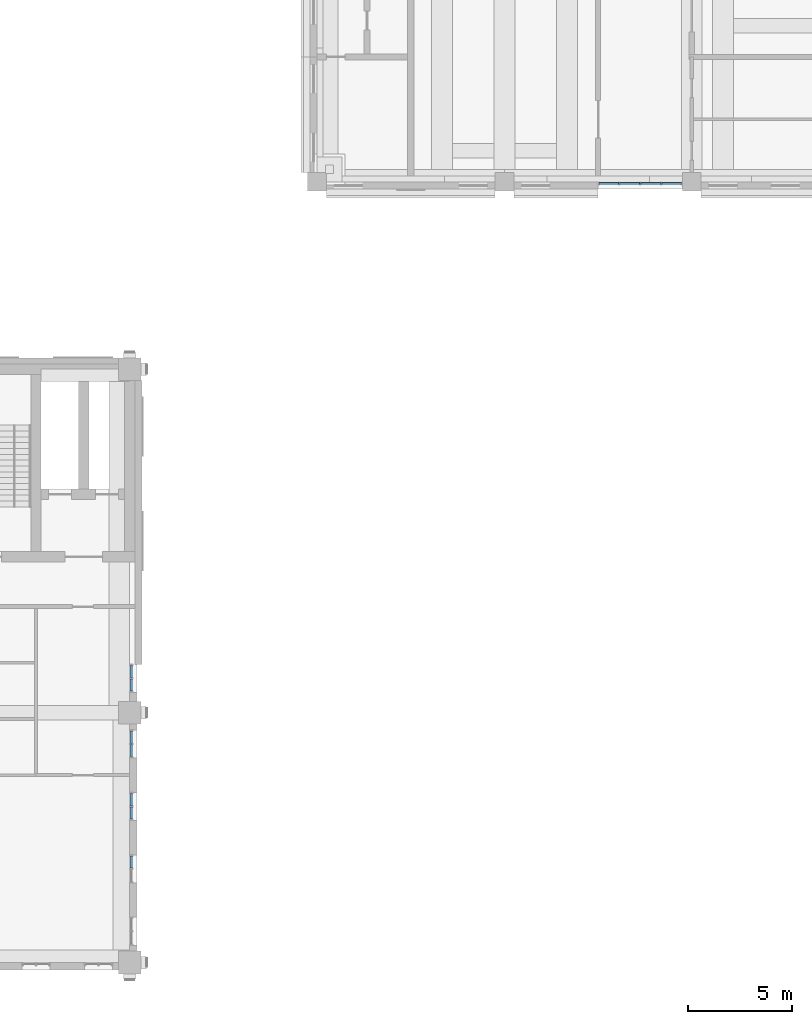
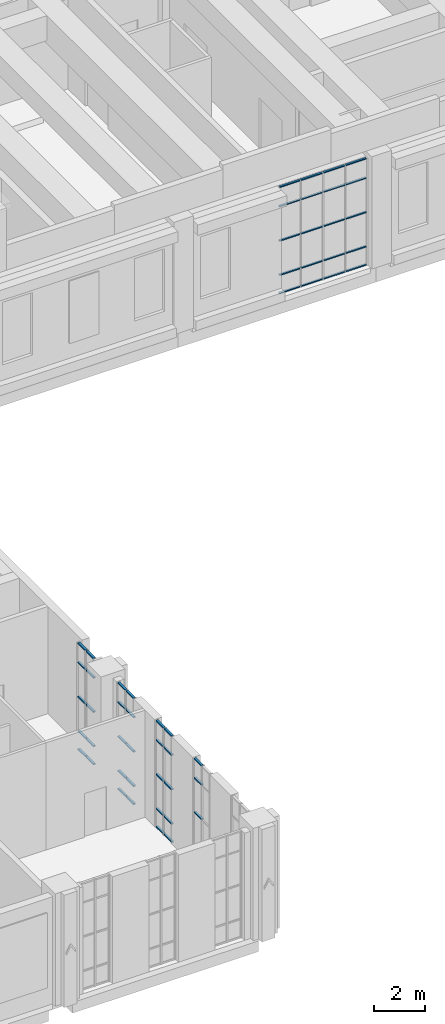
# One storey, part 8 of 22: 53 members, 5 elements without a shape of their own.
"""IFC4 building model written with IfcOpenShell, lengths in metres."""

from ifc_helpers import new_model, si_unit, direction, frame, origin, origin_2d, place, context, subcontext, project, spatial, rectangle, extrude, material, layer, layer_set, material_profile, profile_set, type_object, element, aggregate, save


model = new_model("IFC4")

# Units and contexts
model_context = context("Model", 3, precision=1e-05, world=origin(), true_north=direction((0.0, 1.0)))
body_context = subcontext(model_context, "Body", "Model", "MODEL_VIEW")
ifc_project = project(units=[si_unit("LENGTHUNIT", "METRE"), si_unit("AREAUNIT", "SQUARE_METRE"), si_unit("VOLUMEUNIT", "CUBIC_METRE"), si_unit("PLANEANGLEUNIT", "RADIAN"), si_unit("MASSUNIT", "GRAM", prefix="KILO")], contexts=[model_context])

# Site, building, storey
site_placement = place(None, origin())
site = spatial("IfcSite", under=ifc_project, at=site_placement, CompositionType="ELEMENT")
building_placement = place(site_placement, origin())
building = spatial("IfcBuilding", under=site, at=building_placement, Name="Aurelan Courthouse", CompositionType="ELEMENT")
storey_placement = place(building_placement, frame((0.0, 0.0, 39.0)))
storey = spatial("IfcBuildingStorey", under=building, at=storey_placement, Name="L07", CompositionType="ELEMENT", Elevation=39.0)

# Curtain wall, members
ifc_material_1 = material(Name="Bronze-finished aluminium and glass", Category="aluminium")
ifc_layer_1 = layer(ifc_material_1, 0.14990234375)
ifc_layer_set_1 = layer_set([ifc_layer_1], Name="Bronze-finished aluminium and glass")
curtain_wall_type_1 = type_object("IfcCurtainWallType", Name="Curtain wall 4050 x 5150", PredefinedType="NOTDEFINED", material=ifc_layer_set_1)
curtain_wall_1_placement = place(storey_placement, origin())
curtain_wall_1 = element("IfcCurtainWall", 1, at=curtain_wall_1_placement, inside=storey, type_object=curtain_wall_type_1, Name="Curtain wall CW-V2-L07-S01", PredefinedType="NOTDEFINED")
ifc_material_2 = material(Name="Bronze-finished aluminium", Category="aluminium")
ifc_material_profile_1 = material_profile(ifc_material_2, rectangle(XDim=0.090087890625, YDim=0.050048828125, at=origin_2d()), Name="Bronze transom 50 x 90")
ifc_profile_set_1 = profile_set([ifc_material_profile_1], Name="Bronze-finished aluminium")
member_type_1 = type_object("IfcMemberType", Name="Curtain wall transom 50 x 90", PredefinedType="USERDEFINED", material=ifc_profile_set_1)
member_1_placement = place(storey_placement, frame((49.550048828125, 37.425048828125, 0.02490234375), z_axis=(1.0, 0.0, 0.0), x_axis=(0.0, 1.0, 0.0)))
member_1 = element("IfcMember", 2, at=member_1_placement, type_object=member_type_1, Name="CW-V2-L07-S01 transom 1.1", ObjectType="TRANSOM", PredefinedType="USERDEFINED", context=body_context, shape_type="SweptSolid", body=[
    extrude(rectangle(XDim=0.090087890625, YDim=0.050048828125, at=origin_2d()), origin(), (0.0, 0.0, 1.0), 0.9375),
])
member_2_placement = place(storey_placement, frame((49.550048828125, 37.425048828125, 0.89990234375), z_axis=(1.0, 0.0, 0.0), x_axis=(0.0, 1.0, 0.0)))
member_2 = element("IfcMember", 3, at=member_2_placement, type_object=member_type_1, Name="CW-V2-L07-S01 transom 1.2", ObjectType="TRANSOM", PredefinedType="USERDEFINED", context=body_context, shape_type="SweptSolid", body=[
    extrude(rectangle(XDim=0.090087890625, YDim=0.050048828125, at=origin_2d()), origin(), (0.0, 0.0, 1.0), 0.9375),
])
member_3_placement = place(storey_placement, frame((49.550048828125, 37.425048828125, 2.550048828125), z_axis=(1.0, 0.0, 0.0), x_axis=(0.0, 1.0, 0.0)))
member_3 = element("IfcMember", 4, at=member_3_placement, type_object=member_type_1, Name="CW-V2-L07-S01 transom 1.3", ObjectType="TRANSOM", PredefinedType="USERDEFINED", context=body_context, shape_type="SweptSolid", body=[
    extrude(rectangle(XDim=0.090087890625, YDim=0.050048828125, at=origin_2d()), origin(), (0.0, 0.0, 1.0), 0.9375),
])
member_4_placement = place(storey_placement, frame((49.550048828125, 37.425048828125, 4.199951171875), z_axis=(1.0, 0.0, 0.0), x_axis=(0.0, 1.0, 0.0)))
member_4 = element("IfcMember", 5, at=member_4_placement, type_object=member_type_1, Name="CW-V2-L07-S01 transom 1.4", ObjectType="TRANSOM", PredefinedType="USERDEFINED", context=body_context, shape_type="SweptSolid", body=[
    extrude(rectangle(XDim=0.090087890625, YDim=0.050048828125, at=origin_2d()), origin(), (0.0, 0.0, 1.0), 0.9375),
])
member_5_placement = place(storey_placement, frame((49.550048828125, 37.425048828125, 5.125), z_axis=(1.0, 0.0, 0.0), x_axis=(0.0, 1.0, 0.0)))
member_5 = element("IfcMember", 6, at=member_5_placement, type_object=member_type_1, Name="CW-V2-L07-S01 transom 1.5", ObjectType="TRANSOM", PredefinedType="USERDEFINED", context=body_context, shape_type="SweptSolid", body=[
    extrude(rectangle(XDim=0.090087890625, YDim=0.050048828125, at=origin_2d()), origin(), (0.0, 0.0, 1.0), 0.9375),
])
member_6_placement = place(storey_placement, frame((50.53759765625, 37.425048828125, 0.02490234375), z_axis=(1.0, 0.0, 0.0), x_axis=(0.0, 1.0, 0.0)))
member_6 = element("IfcMember", 7, at=member_6_placement, type_object=member_type_1, Name="CW-V2-L07-S01 transom 2.1", ObjectType="TRANSOM", PredefinedType="USERDEFINED", context=body_context, shape_type="SweptSolid", body=[
    extrude(rectangle(XDim=0.090087890625, YDim=0.050048828125, at=origin_2d()), origin(), (0.0, 0.0, 1.0), 0.96240234375),
])
member_7_placement = place(storey_placement, frame((50.53759765625, 37.425048828125, 0.89990234375), z_axis=(1.0, 0.0, 0.0), x_axis=(0.0, 1.0, 0.0)))
member_7 = element("IfcMember", 8, at=member_7_placement, type_object=member_type_1, Name="CW-V2-L07-S01 transom 2.2", ObjectType="TRANSOM", PredefinedType="USERDEFINED", context=body_context, shape_type="SweptSolid", body=[
    extrude(rectangle(XDim=0.090087890625, YDim=0.050048828125, at=origin_2d()), origin(), (0.0, 0.0, 1.0), 0.96240234375),
])
member_8_placement = place(storey_placement, frame((50.53759765625, 37.425048828125, 2.550048828125), z_axis=(1.0, 0.0, 0.0), x_axis=(0.0, 1.0, 0.0)))
member_8 = element("IfcMember", 9, at=member_8_placement, type_object=member_type_1, Name="CW-V2-L07-S01 transom 2.3", ObjectType="TRANSOM", PredefinedType="USERDEFINED", context=body_context, shape_type="SweptSolid", body=[
    extrude(rectangle(XDim=0.090087890625, YDim=0.050048828125, at=origin_2d()), origin(), (0.0, 0.0, 1.0), 0.96240234375),
])
member_9_placement = place(storey_placement, frame((50.53759765625, 37.425048828125, 4.199951171875), z_axis=(1.0, 0.0, 0.0), x_axis=(0.0, 1.0, 0.0)))
member_9 = element("IfcMember", 10, at=member_9_placement, type_object=member_type_1, Name="CW-V2-L07-S01 transom 2.4", ObjectType="TRANSOM", PredefinedType="USERDEFINED", context=body_context, shape_type="SweptSolid", body=[
    extrude(rectangle(XDim=0.090087890625, YDim=0.050048828125, at=origin_2d()), origin(), (0.0, 0.0, 1.0), 0.96240234375),
])
member_10_placement = place(storey_placement, frame((50.53759765625, 37.425048828125, 5.125), z_axis=(1.0, 0.0, 0.0), x_axis=(0.0, 1.0, 0.0)))
member_10 = element("IfcMember", 11, at=member_10_placement, type_object=member_type_1, Name="CW-V2-L07-S01 transom 2.5", ObjectType="TRANSOM", PredefinedType="USERDEFINED", context=body_context, shape_type="SweptSolid", body=[
    extrude(rectangle(XDim=0.090087890625, YDim=0.050048828125, at=origin_2d()), origin(), (0.0, 0.0, 1.0), 0.96240234375),
])
member_11_placement = place(storey_placement, frame((51.550048828125, 37.425048828125, 0.02490234375), z_axis=(1.0, 0.0, 0.0), x_axis=(0.0, 1.0, 0.0)))
member_11 = element("IfcMember", 12, at=member_11_placement, type_object=member_type_1, Name="CW-V2-L07-S01 transom 3.1", ObjectType="TRANSOM", PredefinedType="USERDEFINED", context=body_context, shape_type="SweptSolid", body=[
    extrude(rectangle(XDim=0.090087890625, YDim=0.050048828125, at=origin_2d()), origin(), (0.0, 0.0, 1.0), 0.96240234375),
])
member_12_placement = place(storey_placement, frame((51.550048828125, 37.425048828125, 0.89990234375), z_axis=(1.0, 0.0, 0.0), x_axis=(0.0, 1.0, 0.0)))
member_12 = element("IfcMember", 13, at=member_12_placement, type_object=member_type_1, Name="CW-V2-L07-S01 transom 3.2", ObjectType="TRANSOM", PredefinedType="USERDEFINED", context=body_context, shape_type="SweptSolid", body=[
    extrude(rectangle(XDim=0.090087890625, YDim=0.050048828125, at=origin_2d()), origin(), (0.0, 0.0, 1.0), 0.96240234375),
])
member_13_placement = place(storey_placement, frame((51.550048828125, 37.425048828125, 2.550048828125), z_axis=(1.0, 0.0, 0.0), x_axis=(0.0, 1.0, 0.0)))
member_13 = element("IfcMember", 14, at=member_13_placement, type_object=member_type_1, Name="CW-V2-L07-S01 transom 3.3", ObjectType="TRANSOM", PredefinedType="USERDEFINED", context=body_context, shape_type="SweptSolid", body=[
    extrude(rectangle(XDim=0.090087890625, YDim=0.050048828125, at=origin_2d()), origin(), (0.0, 0.0, 1.0), 0.96240234375),
])
member_14_placement = place(storey_placement, frame((51.550048828125, 37.425048828125, 4.199951171875), z_axis=(1.0, 0.0, 0.0), x_axis=(0.0, 1.0, 0.0)))
member_14 = element("IfcMember", 15, at=member_14_placement, type_object=member_type_1, Name="CW-V2-L07-S01 transom 3.4", ObjectType="TRANSOM", PredefinedType="USERDEFINED", context=body_context, shape_type="SweptSolid", body=[
    extrude(rectangle(XDim=0.090087890625, YDim=0.050048828125, at=origin_2d()), origin(), (0.0, 0.0, 1.0), 0.96240234375),
])
member_15_placement = place(storey_placement, frame((51.550048828125, 37.425048828125, 5.125), z_axis=(1.0, 0.0, 0.0), x_axis=(0.0, 1.0, 0.0)))
member_15 = element("IfcMember", 16, at=member_15_placement, type_object=member_type_1, Name="CW-V2-L07-S01 transom 3.5", ObjectType="TRANSOM", PredefinedType="USERDEFINED", context=body_context, shape_type="SweptSolid", body=[
    extrude(rectangle(XDim=0.090087890625, YDim=0.050048828125, at=origin_2d()), origin(), (0.0, 0.0, 1.0), 0.96240234375),
])
member_16_placement = place(storey_placement, frame((52.5625, 37.425048828125, 0.02490234375), z_axis=(1.0, 0.0, 0.0), x_axis=(0.0, 1.0, 0.0)))
member_16 = element("IfcMember", 17, at=member_16_placement, type_object=member_type_1, Name="CW-V2-L07-S01 transom 4.1", ObjectType="TRANSOM", PredefinedType="USERDEFINED", context=body_context, shape_type="SweptSolid", body=[
    extrude(rectangle(XDim=0.090087890625, YDim=0.050048828125, at=origin_2d()), origin(), (0.0, 0.0, 1.0), 0.9375),
])
member_17_placement = place(storey_placement, frame((52.5625, 37.425048828125, 0.89990234375), z_axis=(1.0, 0.0, 0.0), x_axis=(0.0, 1.0, 0.0)))
member_17 = element("IfcMember", 18, at=member_17_placement, type_object=member_type_1, Name="CW-V2-L07-S01 transom 4.2", ObjectType="TRANSOM", PredefinedType="USERDEFINED", context=body_context, shape_type="SweptSolid", body=[
    extrude(rectangle(XDim=0.090087890625, YDim=0.050048828125, at=origin_2d()), origin(), (0.0, 0.0, 1.0), 0.9375),
])
member_18_placement = place(storey_placement, frame((52.5625, 37.425048828125, 2.550048828125), z_axis=(1.0, 0.0, 0.0), x_axis=(0.0, 1.0, 0.0)))
member_18 = element("IfcMember", 19, at=member_18_placement, type_object=member_type_1, Name="CW-V2-L07-S01 transom 4.3", ObjectType="TRANSOM", PredefinedType="USERDEFINED", context=body_context, shape_type="SweptSolid", body=[
    extrude(rectangle(XDim=0.090087890625, YDim=0.050048828125, at=origin_2d()), origin(), (0.0, 0.0, 1.0), 0.9375),
])
member_19_placement = place(storey_placement, frame((52.5625, 37.425048828125, 4.199951171875), z_axis=(1.0, 0.0, 0.0), x_axis=(0.0, 1.0, 0.0)))
member_19 = element("IfcMember", 20, at=member_19_placement, type_object=member_type_1, Name="CW-V2-L07-S01 transom 4.4", ObjectType="TRANSOM", PredefinedType="USERDEFINED", context=body_context, shape_type="SweptSolid", body=[
    extrude(rectangle(XDim=0.090087890625, YDim=0.050048828125, at=origin_2d()), origin(), (0.0, 0.0, 1.0), 0.9375),
])
member_20_placement = place(storey_placement, frame((52.5625, 37.425048828125, 5.125), z_axis=(1.0, 0.0, 0.0), x_axis=(0.0, 1.0, 0.0)))
member_20 = element("IfcMember", 21, at=member_20_placement, type_object=member_type_1, Name="CW-V2-L07-S01 transom 4.5", ObjectType="TRANSOM", PredefinedType="USERDEFINED", context=body_context, shape_type="SweptSolid", body=[
    extrude(rectangle(XDim=0.090087890625, YDim=0.050048828125, at=origin_2d()), origin(), (0.0, 0.0, 1.0), 0.9375),
])
aggregate(curtain_wall_1, [member_1, member_2, member_3, member_4, member_5, member_6, member_7, member_8, member_9, member_10, member_11, member_12, member_13, member_14, member_15, member_16, member_17, member_18, member_19, member_20])

ifc_layer_2 = layer(ifc_material_1, 0.14990234375)
ifc_layer_set_2 = layer_set([ifc_layer_2], Name="Bronze-finished aluminium and glass")
curtain_wall_type_2 = type_object("IfcCurtainWallType", Name="Curtain wall 1350 x 5150", PredefinedType="NOTDEFINED", material=ifc_layer_set_2)
curtain_wall_2_placement = place(storey_placement, origin())
curtain_wall_2 = element("IfcCurtainWall", 22, at=curtain_wall_2_placement, inside=storey, type_object=curtain_wall_type_2, Name="Curtain wall CW-V5-L07-E02", PredefinedType="NOTDEFINED")
ifc_material_profile_2 = material_profile(ifc_material_2, rectangle(XDim=0.10009765625, YDim=0.06005859375, at=origin_2d()), Name="Bronze transom 60 x 100")
ifc_profile_set_2 = profile_set([ifc_material_profile_2], Name="Bronze-finished aluminium")
member_type_2 = type_object("IfcMemberType", Name="Curtain wall transom 60 x 100", PredefinedType="USERDEFINED", material=ifc_profile_set_2)
member_21_placement = place(storey_placement, frame((27.074951171875, 4.530029296875, 2.550048828125), z_axis=(0.0, 1.0, 0.0), x_axis=(-1.0, 0.0, 0.0)))
member_21 = element("IfcMember", 23, at=member_21_placement, type_object=member_type_2, Name="CW-V5-L07-E02 transom 2.3", ObjectType="TRANSOM", PredefinedType="USERDEFINED", context=body_context, shape_type="SweptSolid", body=[
    extrude(rectangle(XDim=0.10009765625, YDim=0.06005859375, at=origin_2d()), origin(), (0.0, 0.0, 1.0), 0.5849609375),
])
member_22_placement = place(storey_placement, frame((27.074951171875, 4.530029296875, 4.199951171875), z_axis=(0.0, 1.0, 0.0), x_axis=(-1.0, 0.0, 0.0)))
member_22 = element("IfcMember", 24, at=member_22_placement, type_object=member_type_2, Name="CW-V5-L07-E02 transom 2.4", ObjectType="TRANSOM", PredefinedType="USERDEFINED", context=body_context, shape_type="SweptSolid", body=[
    extrude(rectangle(XDim=0.10009765625, YDim=0.06005859375, at=origin_2d()), origin(), (0.0, 0.0, 1.0), 0.5849609375),
])
member_23_placement = place(storey_placement, frame((27.074951171875, 4.530029296875, 5.1201171875), z_axis=(0.0, 1.0, 0.0), x_axis=(-1.0, 0.0, 0.0)))
member_23 = element("IfcMember", 25, at=member_23_placement, type_object=member_type_2, Name="CW-V5-L07-E02 transom 2.5", ObjectType="TRANSOM", PredefinedType="USERDEFINED", context=body_context, shape_type="SweptSolid", body=[
    extrude(rectangle(XDim=0.10009765625, YDim=0.06005859375, at=origin_2d()), origin(), (0.0, 0.0, 1.0), 0.5849609375),
])
aggregate(curtain_wall_2, [member_21, member_22, member_23])

curtain_wall_3_placement = place(storey_placement, origin())
curtain_wall_3 = element("IfcCurtainWall", 26, at=curtain_wall_3_placement, inside=storey, type_object=curtain_wall_type_2, Name="Curtain wall CW-V5-L07-E03", PredefinedType="NOTDEFINED")
member_24_placement = place(storey_placement, frame((27.074951171875, 6.885009765625, 0.030029296875), z_axis=(0.0, 1.0, 0.0), x_axis=(-1.0, 0.0, 0.0)))
member_24 = element("IfcMember", 27, at=member_24_placement, type_object=member_type_2, Name="CW-V5-L07-E03 transom 1.1", ObjectType="TRANSOM", PredefinedType="USERDEFINED", context=body_context, shape_type="SweptSolid", body=[
    extrude(rectangle(XDim=0.10009765625, YDim=0.06005859375, at=origin_2d()), origin(), (0.0, 0.0, 1.0), 0.5849609375),
])
member_25_placement = place(storey_placement, frame((27.074951171875, 6.885009765625, 0.89990234375), z_axis=(0.0, 1.0, 0.0), x_axis=(-1.0, 0.0, 0.0)))
member_25 = element("IfcMember", 28, at=member_25_placement, type_object=member_type_2, Name="CW-V5-L07-E03 transom 1.2", ObjectType="TRANSOM", PredefinedType="USERDEFINED", context=body_context, shape_type="SweptSolid", body=[
    extrude(rectangle(XDim=0.10009765625, YDim=0.06005859375, at=origin_2d()), origin(), (0.0, 0.0, 1.0), 0.5849609375),
])
member_26_placement = place(storey_placement, frame((27.074951171875, 6.885009765625, 2.550048828125), z_axis=(0.0, 1.0, 0.0), x_axis=(-1.0, 0.0, 0.0)))
member_26 = element("IfcMember", 29, at=member_26_placement, type_object=member_type_2, Name="CW-V5-L07-E03 transom 1.3", ObjectType="TRANSOM", PredefinedType="USERDEFINED", context=body_context, shape_type="SweptSolid", body=[
    extrude(rectangle(XDim=0.10009765625, YDim=0.06005859375, at=origin_2d()), origin(), (0.0, 0.0, 1.0), 0.5849609375),
])
member_27_placement = place(storey_placement, frame((27.074951171875, 6.885009765625, 4.199951171875), z_axis=(0.0, 1.0, 0.0), x_axis=(-1.0, 0.0, 0.0)))
member_27 = element("IfcMember", 30, at=member_27_placement, type_object=member_type_2, Name="CW-V5-L07-E03 transom 1.4", ObjectType="TRANSOM", PredefinedType="USERDEFINED", context=body_context, shape_type="SweptSolid", body=[
    extrude(rectangle(XDim=0.10009765625, YDim=0.06005859375, at=origin_2d()), origin(), (0.0, 0.0, 1.0), 0.5849609375),
])
member_28_placement = place(storey_placement, frame((27.074951171875, 6.885009765625, 5.1201171875), z_axis=(0.0, 1.0, 0.0), x_axis=(-1.0, 0.0, 0.0)))
member_28 = element("IfcMember", 31, at=member_28_placement, type_object=member_type_2, Name="CW-V5-L07-E03 transom 1.5", ObjectType="TRANSOM", PredefinedType="USERDEFINED", context=body_context, shape_type="SweptSolid", body=[
    extrude(rectangle(XDim=0.10009765625, YDim=0.06005859375, at=origin_2d()), origin(), (0.0, 0.0, 1.0), 0.5849609375),
])
member_29_placement = place(storey_placement, frame((27.074951171875, 7.530029296875, 0.030029296875), z_axis=(0.0, 1.0, 0.0), x_axis=(-1.0, 0.0, 0.0)))
member_29 = element("IfcMember", 32, at=member_29_placement, type_object=member_type_2, Name="CW-V5-L07-E03 transom 2.1", ObjectType="TRANSOM", PredefinedType="USERDEFINED", context=body_context, shape_type="SweptSolid", body=[
    extrude(rectangle(XDim=0.10009765625, YDim=0.06005859375, at=origin_2d()), origin(), (0.0, 0.0, 1.0), 0.5849609375),
])
member_30_placement = place(storey_placement, frame((27.074951171875, 7.530029296875, 0.89990234375), z_axis=(0.0, 1.0, 0.0), x_axis=(-1.0, 0.0, 0.0)))
member_30 = element("IfcMember", 33, at=member_30_placement, type_object=member_type_2, Name="CW-V5-L07-E03 transom 2.2", ObjectType="TRANSOM", PredefinedType="USERDEFINED", context=body_context, shape_type="SweptSolid", body=[
    extrude(rectangle(XDim=0.10009765625, YDim=0.06005859375, at=origin_2d()), origin(), (0.0, 0.0, 1.0), 0.5849609375),
])
member_31_placement = place(storey_placement, frame((27.074951171875, 7.530029296875, 2.550048828125), z_axis=(0.0, 1.0, 0.0), x_axis=(-1.0, 0.0, 0.0)))
member_31 = element("IfcMember", 34, at=member_31_placement, type_object=member_type_2, Name="CW-V5-L07-E03 transom 2.3", ObjectType="TRANSOM", PredefinedType="USERDEFINED", context=body_context, shape_type="SweptSolid", body=[
    extrude(rectangle(XDim=0.10009765625, YDim=0.06005859375, at=origin_2d()), origin(), (0.0, 0.0, 1.0), 0.5849609375),
])
member_32_placement = place(storey_placement, frame((27.074951171875, 7.530029296875, 4.199951171875), z_axis=(0.0, 1.0, 0.0), x_axis=(-1.0, 0.0, 0.0)))
member_32 = element("IfcMember", 35, at=member_32_placement, type_object=member_type_2, Name="CW-V5-L07-E03 transom 2.4", ObjectType="TRANSOM", PredefinedType="USERDEFINED", context=body_context, shape_type="SweptSolid", body=[
    extrude(rectangle(XDim=0.10009765625, YDim=0.06005859375, at=origin_2d()), origin(), (0.0, 0.0, 1.0), 0.5849609375),
])
member_33_placement = place(storey_placement, frame((27.074951171875, 7.530029296875, 5.1201171875), z_axis=(0.0, 1.0, 0.0), x_axis=(-1.0, 0.0, 0.0)))
member_33 = element("IfcMember", 36, at=member_33_placement, type_object=member_type_2, Name="CW-V5-L07-E03 transom 2.5", ObjectType="TRANSOM", PredefinedType="USERDEFINED", context=body_context, shape_type="SweptSolid", body=[
    extrude(rectangle(XDim=0.10009765625, YDim=0.06005859375, at=origin_2d()), origin(), (0.0, 0.0, 1.0), 0.5849609375),
])
aggregate(curtain_wall_3, [member_24, member_25, member_26, member_27, member_28, member_29, member_30, member_31, member_32, member_33])

curtain_wall_4_placement = place(storey_placement, origin())
curtain_wall_4 = element("IfcCurtainWall", 37, at=curtain_wall_4_placement, inside=storey, type_object=curtain_wall_type_2, Name="Curtain wall CW-V5-L07-E04", PredefinedType="NOTDEFINED")
member_34_placement = place(storey_placement, frame((27.074951171875, 9.885009765625, 0.030029296875), z_axis=(0.0, 1.0, 0.0), x_axis=(-1.0, 0.0, 0.0)))
member_34 = element("IfcMember", 38, at=member_34_placement, type_object=member_type_2, Name="CW-V5-L07-E04 transom 1.1", ObjectType="TRANSOM", PredefinedType="USERDEFINED", context=body_context, shape_type="SweptSolid", body=[
    extrude(rectangle(XDim=0.10009765625, YDim=0.06005859375, at=origin_2d()), origin(), (0.0, 0.0, 1.0), 0.5849609375),
])
member_35_placement = place(storey_placement, frame((27.074951171875, 9.885009765625, 0.89990234375), z_axis=(0.0, 1.0, 0.0), x_axis=(-1.0, 0.0, 0.0)))
member_35 = element("IfcMember", 39, at=member_35_placement, type_object=member_type_2, Name="CW-V5-L07-E04 transom 1.2", ObjectType="TRANSOM", PredefinedType="USERDEFINED", context=body_context, shape_type="SweptSolid", body=[
    extrude(rectangle(XDim=0.10009765625, YDim=0.06005859375, at=origin_2d()), origin(), (0.0, 0.0, 1.0), 0.5849609375),
])
member_36_placement = place(storey_placement, frame((27.074951171875, 9.885009765625, 2.550048828125), z_axis=(0.0, 1.0, 0.0), x_axis=(-1.0, 0.0, 0.0)))
member_36 = element("IfcMember", 40, at=member_36_placement, type_object=member_type_2, Name="CW-V5-L07-E04 transom 1.3", ObjectType="TRANSOM", PredefinedType="USERDEFINED", context=body_context, shape_type="SweptSolid", body=[
    extrude(rectangle(XDim=0.10009765625, YDim=0.06005859375, at=origin_2d()), origin(), (0.0, 0.0, 1.0), 0.5849609375),
])
member_37_placement = place(storey_placement, frame((27.074951171875, 9.885009765625, 4.199951171875), z_axis=(0.0, 1.0, 0.0), x_axis=(-1.0, 0.0, 0.0)))
member_37 = element("IfcMember", 41, at=member_37_placement, type_object=member_type_2, Name="CW-V5-L07-E04 transom 1.4", ObjectType="TRANSOM", PredefinedType="USERDEFINED", context=body_context, shape_type="SweptSolid", body=[
    extrude(rectangle(XDim=0.10009765625, YDim=0.06005859375, at=origin_2d()), origin(), (0.0, 0.0, 1.0), 0.5849609375),
])
member_38_placement = place(storey_placement, frame((27.074951171875, 9.885009765625, 5.1201171875), z_axis=(0.0, 1.0, 0.0), x_axis=(-1.0, 0.0, 0.0)))
member_38 = element("IfcMember", 42, at=member_38_placement, type_object=member_type_2, Name="CW-V5-L07-E04 transom 1.5", ObjectType="TRANSOM", PredefinedType="USERDEFINED", context=body_context, shape_type="SweptSolid", body=[
    extrude(rectangle(XDim=0.10009765625, YDim=0.06005859375, at=origin_2d()), origin(), (0.0, 0.0, 1.0), 0.5849609375),
])
member_39_placement = place(storey_placement, frame((27.074951171875, 10.530029296875, 0.030029296875), z_axis=(0.0, 1.0, 0.0), x_axis=(-1.0, 0.0, 0.0)))
member_39 = element("IfcMember", 43, at=member_39_placement, type_object=member_type_2, Name="CW-V5-L07-E04 transom 2.1", ObjectType="TRANSOM", PredefinedType="USERDEFINED", context=body_context, shape_type="SweptSolid", body=[
    extrude(rectangle(XDim=0.10009765625, YDim=0.06005859375, at=origin_2d()), origin(), (0.0, 0.0, 1.0), 0.5849609375),
])
member_40_placement = place(storey_placement, frame((27.074951171875, 10.530029296875, 0.89990234375), z_axis=(0.0, 1.0, 0.0), x_axis=(-1.0, 0.0, 0.0)))
member_40 = element("IfcMember", 44, at=member_40_placement, type_object=member_type_2, Name="CW-V5-L07-E04 transom 2.2", ObjectType="TRANSOM", PredefinedType="USERDEFINED", context=body_context, shape_type="SweptSolid", body=[
    extrude(rectangle(XDim=0.10009765625, YDim=0.06005859375, at=origin_2d()), origin(), (0.0, 0.0, 1.0), 0.5849609375),
])
member_41_placement = place(storey_placement, frame((27.074951171875, 10.530029296875, 2.550048828125), z_axis=(0.0, 1.0, 0.0), x_axis=(-1.0, 0.0, 0.0)))
member_41 = element("IfcMember", 45, at=member_41_placement, type_object=member_type_2, Name="CW-V5-L07-E04 transom 2.3", ObjectType="TRANSOM", PredefinedType="USERDEFINED", context=body_context, shape_type="SweptSolid", body=[
    extrude(rectangle(XDim=0.10009765625, YDim=0.06005859375, at=origin_2d()), origin(), (0.0, 0.0, 1.0), 0.5849609375),
])
member_42_placement = place(storey_placement, frame((27.074951171875, 10.530029296875, 4.199951171875), z_axis=(0.0, 1.0, 0.0), x_axis=(-1.0, 0.0, 0.0)))
member_42 = element("IfcMember", 46, at=member_42_placement, type_object=member_type_2, Name="CW-V5-L07-E04 transom 2.4", ObjectType="TRANSOM", PredefinedType="USERDEFINED", context=body_context, shape_type="SweptSolid", body=[
    extrude(rectangle(XDim=0.10009765625, YDim=0.06005859375, at=origin_2d()), origin(), (0.0, 0.0, 1.0), 0.5849609375),
])
member_43_placement = place(storey_placement, frame((27.074951171875, 10.530029296875, 5.1201171875), z_axis=(0.0, 1.0, 0.0), x_axis=(-1.0, 0.0, 0.0)))
member_43 = element("IfcMember", 47, at=member_43_placement, type_object=member_type_2, Name="CW-V5-L07-E04 transom 2.5", ObjectType="TRANSOM", PredefinedType="USERDEFINED", context=body_context, shape_type="SweptSolid", body=[
    extrude(rectangle(XDim=0.10009765625, YDim=0.06005859375, at=origin_2d()), origin(), (0.0, 0.0, 1.0), 0.5849609375),
])
aggregate(curtain_wall_4, [member_34, member_35, member_36, member_37, member_38, member_39, member_40, member_41, member_42, member_43])

curtain_wall_5_placement = place(storey_placement, origin())
curtain_wall_5 = element("IfcCurtainWall", 48, at=curtain_wall_5_placement, inside=storey, type_object=curtain_wall_type_2, Name="Curtain wall CW-V5-L07-E05", PredefinedType="NOTDEFINED")
member_44_placement = place(storey_placement, frame((27.074951171875, 13.034912109375, 0.030029296875), z_axis=(0.0, 1.0, 0.0), x_axis=(-1.0, 0.0, 0.0)))
member_44 = element("IfcMember", 49, at=member_44_placement, type_object=member_type_2, Name="CW-V5-L07-E05 transom 1.1", ObjectType="TRANSOM", PredefinedType="USERDEFINED", context=body_context, shape_type="SweptSolid", body=[
    extrude(rectangle(XDim=0.10009765625, YDim=0.06005859375, at=origin_2d()), origin(), (0.0, 0.0, 1.0), 0.585205078125),
])
member_45_placement = place(storey_placement, frame((27.074951171875, 13.034912109375, 0.89990234375), z_axis=(0.0, 1.0, 0.0), x_axis=(-1.0, 0.0, 0.0)))
member_45 = element("IfcMember", 50, at=member_45_placement, type_object=member_type_2, Name="CW-V5-L07-E05 transom 1.2", ObjectType="TRANSOM", PredefinedType="USERDEFINED", context=body_context, shape_type="SweptSolid", body=[
    extrude(rectangle(XDim=0.10009765625, YDim=0.06005859375, at=origin_2d()), origin(), (0.0, 0.0, 1.0), 0.585205078125),
])
member_46_placement = place(storey_placement, frame((27.074951171875, 13.034912109375, 2.550048828125), z_axis=(0.0, 1.0, 0.0), x_axis=(-1.0, 0.0, 0.0)))
member_46 = element("IfcMember", 51, at=member_46_placement, type_object=member_type_2, Name="CW-V5-L07-E05 transom 1.3", ObjectType="TRANSOM", PredefinedType="USERDEFINED", context=body_context, shape_type="SweptSolid", body=[
    extrude(rectangle(XDim=0.10009765625, YDim=0.06005859375, at=origin_2d()), origin(), (0.0, 0.0, 1.0), 0.585205078125),
])
member_47_placement = place(storey_placement, frame((27.074951171875, 13.034912109375, 4.199951171875), z_axis=(0.0, 1.0, 0.0), x_axis=(-1.0, 0.0, 0.0)))
member_47 = element("IfcMember", 52, at=member_47_placement, type_object=member_type_2, Name="CW-V5-L07-E05 transom 1.4", ObjectType="TRANSOM", PredefinedType="USERDEFINED", context=body_context, shape_type="SweptSolid", body=[
    extrude(rectangle(XDim=0.10009765625, YDim=0.06005859375, at=origin_2d()), origin(), (0.0, 0.0, 1.0), 0.585205078125),
])
member_48_placement = place(storey_placement, frame((27.074951171875, 13.034912109375, 5.1201171875), z_axis=(0.0, 1.0, 0.0), x_axis=(-1.0, 0.0, 0.0)))
member_48 = element("IfcMember", 53, at=member_48_placement, type_object=member_type_2, Name="CW-V5-L07-E05 transom 1.5", ObjectType="TRANSOM", PredefinedType="USERDEFINED", context=body_context, shape_type="SweptSolid", body=[
    extrude(rectangle(XDim=0.10009765625, YDim=0.06005859375, at=origin_2d()), origin(), (0.0, 0.0, 1.0), 0.585205078125),
])
member_49_placement = place(storey_placement, frame((27.074951171875, 13.679931640625, 0.030029296875), z_axis=(0.0, 1.0, 0.0), x_axis=(-1.0, 0.0, 0.0)))
member_49 = element("IfcMember", 54, at=member_49_placement, type_object=member_type_2, Name="CW-V5-L07-E05 transom 2.1", ObjectType="TRANSOM", PredefinedType="USERDEFINED", context=body_context, shape_type="SweptSolid", body=[
    extrude(rectangle(XDim=0.10009765625, YDim=0.06005859375, at=origin_2d()), origin(), (0.0, 0.0, 1.0), 0.5849609375),
])
member_50_placement = place(storey_placement, frame((27.074951171875, 13.679931640625, 0.89990234375), z_axis=(0.0, 1.0, 0.0), x_axis=(-1.0, 0.0, 0.0)))
member_50 = element("IfcMember", 55, at=member_50_placement, type_object=member_type_2, Name="CW-V5-L07-E05 transom 2.2", ObjectType="TRANSOM", PredefinedType="USERDEFINED", context=body_context, shape_type="SweptSolid", body=[
    extrude(rectangle(XDim=0.10009765625, YDim=0.06005859375, at=origin_2d()), origin(), (0.0, 0.0, 1.0), 0.5849609375),
])
member_51_placement = place(storey_placement, frame((27.074951171875, 13.679931640625, 2.550048828125), z_axis=(0.0, 1.0, 0.0), x_axis=(-1.0, 0.0, 0.0)))
member_51 = element("IfcMember", 56, at=member_51_placement, type_object=member_type_2, Name="CW-V5-L07-E05 transom 2.3", ObjectType="TRANSOM", PredefinedType="USERDEFINED", context=body_context, shape_type="SweptSolid", body=[
    extrude(rectangle(XDim=0.10009765625, YDim=0.06005859375, at=origin_2d()), origin(), (0.0, 0.0, 1.0), 0.5849609375),
])
member_52_placement = place(storey_placement, frame((27.074951171875, 13.679931640625, 4.199951171875), z_axis=(0.0, 1.0, 0.0), x_axis=(-1.0, 0.0, 0.0)))
member_52 = element("IfcMember", 57, at=member_52_placement, type_object=member_type_2, Name="CW-V5-L07-E05 transom 2.4", ObjectType="TRANSOM", PredefinedType="USERDEFINED", context=body_context, shape_type="SweptSolid", body=[
    extrude(rectangle(XDim=0.10009765625, YDim=0.06005859375, at=origin_2d()), origin(), (0.0, 0.0, 1.0), 0.5849609375),
])
member_53_placement = place(storey_placement, frame((27.074951171875, 13.679931640625, 5.1201171875), z_axis=(0.0, 1.0, 0.0), x_axis=(-1.0, 0.0, 0.0)))
member_53 = element("IfcMember", 58, at=member_53_placement, type_object=member_type_2, Name="CW-V5-L07-E05 transom 2.5", ObjectType="TRANSOM", PredefinedType="USERDEFINED", context=body_context, shape_type="SweptSolid", body=[
    extrude(rectangle(XDim=0.10009765625, YDim=0.06005859375, at=origin_2d()), origin(), (0.0, 0.0, 1.0), 0.5849609375),
])
aggregate(curtain_wall_5, [member_44, member_45, member_46, member_47, member_48, member_49, member_50, member_51, member_52, member_53])

save(model, "model.ifc")
